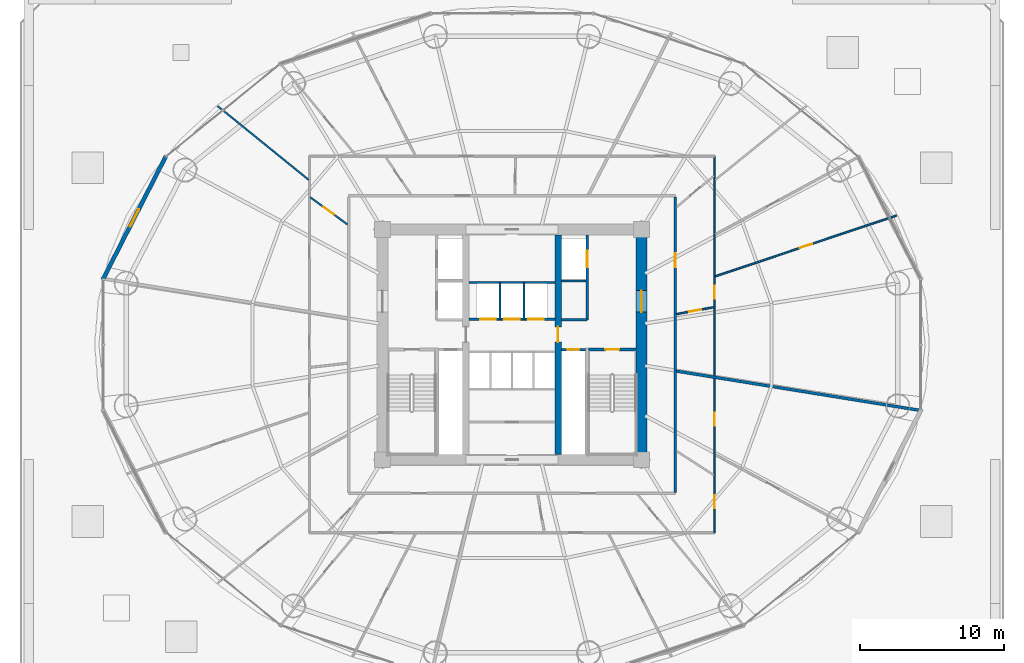
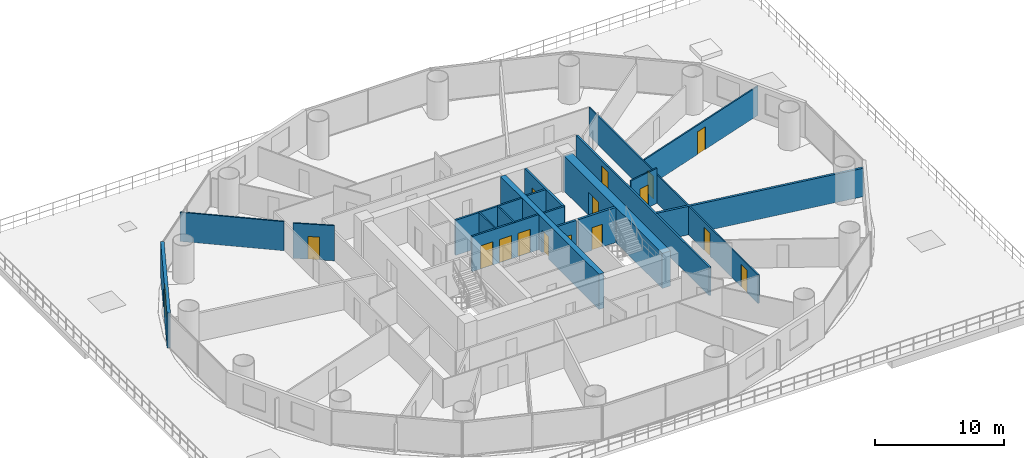
# One storey, part 32 of 37: 20 walls, 16 doors, 16 openings.
"""IFC4 building model written with IfcOpenShell, lengths in metres."""

from ifc_helpers import new_model, si_unit, direction, frame, frame_2d, origin, place, context, subcontext, project, spatial, rectangle, extrude, source, transform, mapped, material, layer, layer_set, type_object, element, fill, save


model = new_model("IFC4")

# Units and contexts
model_context = context("Model", 3, precision=1e-05, world=origin(), true_north=direction((-0.2419218956, 0.970295726276)))
body_context = subcontext(model_context, "Body", "Model", "MODEL_VIEW")
ifc_project = project(units=[si_unit("LENGTHUNIT", "METRE"), si_unit("AREAUNIT", "SQUARE_METRE"), si_unit("VOLUMEUNIT", "CUBIC_METRE"), si_unit("PLANEANGLEUNIT", "RADIAN"), si_unit("MASSUNIT", "GRAM", prefix="KILO")], contexts=[model_context])

# Site, building, storey
site_placement = place(None, origin())
site = spatial("IfcSite", under=ifc_project, at=site_placement, CompositionType="ELEMENT")
building_placement = place(site_placement, origin())
building = spatial("IfcBuilding", under=site, at=building_placement, Name="Cobrevalo Terracotta Tower", CompositionType="ELEMENT")
storey_placement = place(building_placement, frame((0.0, 0.0, 24.0)))
storey = spatial("IfcBuildingStorey", under=building, at=storey_placement, Name="L05", CompositionType="ELEMENT", Elevation=24.0)

# Wall, opening, door
ifc_material_1 = material(Name="Concrete C60", Category="concrete")
ifc_layer_1 = layer(ifc_material_1, 0.75)
ifc_layer_set_1 = layer_set([ifc_layer_1], Name="Concrete C60")
wall_type_1 = type_object("IfcWallType", Name="Core shear wall 750 mm Concrete C60", PredefinedType="SHEAR", material=ifc_layer_set_1)
wall_1_placement = place(storey_placement, frame((47.0, 19.175048828125, 0.0), z_axis=(0.0, 0.0, 1.0), x_axis=(0.0, 1.0, 0.0)))
wall_1 = element("IfcWall", 1, at=wall_1_placement, inside=storey, type_object=wall_type_1, Name="L05 east core shear wall", PredefinedType="SHEAR", context=body_context, shape_type="SweptSolid", body=[
    extrude(rectangle(XDim=15.25, YDim=0.75, at=frame_2d((7.625, 0.0))), origin(), (0.0, 0.0, 1.0), 3.320068359375),
])
opening_1_placement = place(wall_1_placement, frame((9.875, 0.0, 0.0)))
opening_1 = element("IfcOpeningElement", 2, at=opening_1_placement, cuts=wall_1, Name="Opening ID-14", PredefinedType="OPENING", context=body_context, shape_type="SweptSolid", body=[
    extrude(rectangle(XDim=1.5, YDim=2.199951171875, at=frame_2d((0.75, 1.10009765625))), frame((0.0, 0.385009765625, 0.0), z_axis=(0.0, -1.0, 0.0), x_axis=(1.0, 0.0, 0.0)), (0.0, 0.0, 1.0), 0.77001953125),
])
ifc_material_2 = material(Name="Galvanized fire-rated steel", Category="steel")
door_type_1 = type_object("IfcDoorType", Name="Core cross-lobby double fire door 1500x2200 EI 90", OperationType="NOTDEFINED", PredefinedType="DOOR", material=ifc_material_2)
shared_shape_1 = source(origin(), body_context, "Body", "SweptSolid", [
    extrude(rectangle(XDim=1.5, YDim=2.199951171875, at=frame_2d((0.75, 1.10009765625))), frame((0.0, 0.02490234375, 0.0), z_axis=(0.0, -1.0, 0.0), x_axis=(1.0, 0.0, 0.0)), (0.0, 0.0, 1.0), 0.050048828125),
])
door_1_placement = place(opening_1_placement, frame((1.5, 0.0, 0.0), z_axis=(0.0, 0.0, 1.0), x_axis=(-1.0, 0.0, 0.0)))
door_1 = element("IfcDoor", 3, at=door_1_placement, inside=storey, type_object=door_type_1, Name="L05 east firefighting lobby entrance door", OperationType="DOUBLE_DOOR_SINGLE_SWING", OverallHeight=2.199951171875, OverallWidth=1.5, PredefinedType="DOOR", context=body_context, shape_type="MappedRepresentation", body=[
    mapped(shared_shape_1, transform((0.0, 0.0, 0.0), scale=1.0)),
])
fill(opening_1, door_1)

# Walls
ifc_material_3 = material(Name="Gypsum board on steel stud", Category="steel")
ifc_layer_2 = layer(ifc_material_3, 0.159912109375)
ifc_layer_set_2 = layer_set([ifc_layer_2], Name="Gypsum board on steel stud")
wall_type_2 = type_object("IfcWallType", Name="Fire-rated corridor acoustic partition wall 160 mm", PredefinedType="PARTITIONING", material=ifc_layer_set_2)
wall_2_placement = place(storey_placement, frame((41.425048828125, 31.219970703125, 0.0), z_axis=(0.0, 0.0, 1.0), x_axis=(1.0, 0.0, 0.0)))
element("IfcWall", 4, at=wall_2_placement, inside=storey, type_object=wall_type_2, Name="L05 interior partition IW-L05-FF2-M", PredefinedType="PARTITIONING", context=body_context, shape_type="SweptSolid", body=[
    extrude(rectangle(XDim=1.71484375, YDim=0.159912109375, at=frame_2d((0.857421875, 0.0))), origin(), (0.0, 0.0, 1.0), 3.320068359375),
])
wall_3_placement = place(storey_placement, frame((41.425048828125, 28.52001953125, 0.0), z_axis=(0.0, 0.0, 1.0), x_axis=(1.0, 0.0, 0.0)))
element("IfcWall", 5, at=wall_3_placement, inside=storey, type_object=wall_type_2, Name="L05 interior partition IW-L05-FF2-S", PredefinedType="PARTITIONING", context=body_context, shape_type="SweptSolid", body=[
    extrude(rectangle(XDim=1.804931640625, YDim=0.159912109375, at=frame_2d((0.90234375, 0.0))), origin(), (0.0, 0.0, 1.0), 3.320068359375),
])

# Wall, openings, doors
wall_4_placement = place(storey_placement, frame((35.02490234375, 28.56005859375, 0.0), z_axis=(0.0, 0.0, 1.0), x_axis=(1.0, 0.0, 0.0)))
wall_4 = element("IfcWall", 6, at=wall_4_placement, inside=storey, type_object=wall_type_2, Name="L05 interior partition IW-L05-LB-S", PredefinedType="PARTITIONING", context=body_context, shape_type="SweptSolid", body=[
    extrude(rectangle(XDim=5.9501953125, YDim=0.159912109375, at=frame_2d((2.97509765625, 0.0))), origin(), (0.0, 0.0, 1.0), 3.320068359375),
])
opening_2_placement = place(wall_4_placement, frame((0.760009765625, 0.0, 0.0)))
opening_2 = element("IfcOpeningElement", 7, at=opening_2_placement, cuts=wall_4, Name="Opening LD-01", PredefinedType="OPENING", context=body_context, shape_type="SweptSolid", body=[
    extrude(rectangle(XDim=1.10009765625, YDim=2.199951171875, at=frame_2d((0.550048828125, 1.10009765625))), frame((0.0, 0.08984375, 0.0), z_axis=(0.0, -1.0, 0.0), x_axis=(1.0, 0.0, 0.0)), (0.0, 0.0, 1.0), 0.179931640625),
])
opening_3_placement = place(wall_4_placement, frame((2.425048828125, 0.0, 0.0)))
opening_3 = element("IfcOpeningElement", 8, at=opening_3_placement, cuts=wall_4, Name="Opening LD-01", PredefinedType="OPENING", context=body_context, shape_type="SweptSolid", body=[
    extrude(rectangle(XDim=1.10009765625, YDim=2.199951171875, at=frame_2d((0.550048828125, 1.10009765625))), frame((0.0, 0.08984375, 0.0), z_axis=(0.0, -1.0, 0.0), x_axis=(1.0, 0.0, 0.0)), (0.0, 0.0, 1.0), 0.179931640625),
])
opening_4_placement = place(wall_4_placement, frame((4.090087890625, 0.0, 0.0)))
opening_4 = element("IfcOpeningElement", 9, at=opening_4_placement, cuts=wall_4, Name="Opening LD-01", PredefinedType="OPENING", context=body_context, shape_type="SweptSolid", body=[
    extrude(rectangle(XDim=1.10009765625, YDim=2.199951171875, at=frame_2d((0.550048828125, 1.10009765625))), frame((0.0, 0.08984375, 0.0), z_axis=(0.0, -1.0, 0.0), x_axis=(1.0, 0.0, 0.0)), (0.0, 0.0, 1.0), 0.179931640625),
])
ifc_material_4 = material(Name="Brushed stainless steel", Category="steel")
door_type_2 = type_object("IfcDoorType", Name="Passenger lift landing bi-parting sliding door 1100x2200 EI 90", OperationType="DOUBLE_DOOR_SLIDING", PredefinedType="DOOR", material=ifc_material_4)
shared_shape_2 = source(origin(), body_context, "Body", "SweptSolid", [
    extrude(rectangle(XDim=1.10009765625, YDim=2.199951171875, at=frame_2d((0.550048828125, 1.10009765625))), frame((0.0, 0.02490234375, 0.0), z_axis=(0.0, -1.0, 0.0), x_axis=(1.0, 0.0, 0.0)), (0.0, 0.0, 1.0), 0.050048828125),
])
door_2_placement = place(opening_2_placement, origin())
door_2 = element("IfcDoor", 10, at=door_2_placement, inside=storey, type_object=door_type_2, Name="L05 lift landing door PL-L1", OperationType="DOUBLE_DOOR_SLIDING", OverallHeight=2.199951171875, OverallWidth=1.10009765625, PredefinedType="DOOR", context=body_context, shape_type="MappedRepresentation", body=[
    mapped(shared_shape_2, transform((0.0, 0.0, 0.0), scale=1.0)),
])
fill(opening_2, door_2)
door_3_placement = place(opening_3_placement, origin())
door_3 = element("IfcDoor", 11, at=door_3_placement, inside=storey, type_object=door_type_2, Name="L05 lift landing door PL-L2", OperationType="DOUBLE_DOOR_SLIDING", OverallHeight=2.199951171875, OverallWidth=1.10009765625, PredefinedType="DOOR", context=body_context, shape_type="MappedRepresentation", body=[
    mapped(shared_shape_2, transform((0.0, 0.0, 0.0), scale=1.0)),
])
fill(opening_3, door_3)
door_4_placement = place(opening_4_placement, origin())
door_4 = element("IfcDoor", 12, at=door_4_placement, inside=storey, type_object=door_type_2, Name="L05 lift landing door PL-L3", OperationType="DOUBLE_DOOR_SLIDING", OverallHeight=2.199951171875, OverallWidth=1.10009765625, PredefinedType="DOOR", context=body_context, shape_type="MappedRepresentation", body=[
    mapped(shared_shape_2, transform((0.0, 0.0, 0.0), scale=1.0)),
])
fill(opening_4, door_4)

# Wall
wall_5_placement = place(storey_placement, frame((35.02490234375, 31.1201171875, 0.0), z_axis=(0.0, 0.0, 1.0), x_axis=(1.0, 0.0, 0.0)))
element("IfcWall", 13, at=wall_5_placement, inside=storey, type_object=wall_type_2, Name="L05 interior partition IW-L05-LB-N", PredefinedType="PARTITIONING", context=body_context, shape_type="SweptSolid", body=[
    extrude(rectangle(XDim=5.9501953125, YDim=0.159912109375, at=frame_2d((2.97509765625, 0.0))), origin(), (0.0, 0.0, 1.0), 3.320068359375),
])

# Wall, opening, door
wall_6_placement = place(storey_placement, frame((49.35498046875, 16.52490234375, 0.0), z_axis=(0.0, 0.0, 1.0), x_axis=(0.0, 1.0, 0.0)))
wall_6 = element("IfcWall", 14, at=wall_6_placement, inside=storey, type_object=wall_type_2, Name="L05 interior partition IW-L05-COR-E", PredefinedType="PARTITIONING", context=body_context, shape_type="SweptSolid", body=[
    extrude(rectangle(XDim=20.550048828125, YDim=0.159912109375, at=frame_2d((10.27490234375, 0.0))), origin(), (0.0, 0.0, 1.0), 2.68798828125),
])
opening_5_placement = place(wall_6_placement, frame((15.635009765625, 0.0, 0.0)))
opening_5 = element("IfcOpeningElement", 15, at=opening_5_placement, cuts=wall_6, Name="Opening ID-05", PredefinedType="OPENING", context=body_context, shape_type="SweptSolid", body=[
    extrude(rectangle(XDim=0.97998046875, YDim=2.199951171875, at=frame_2d((0.489990234375, 1.10009765625))), frame((0.0, 0.08984375, 0.0), z_axis=(0.0, -1.0, 0.0), x_axis=(1.0, 0.0, 0.0)), (0.0, 0.0, 1.0), 0.179931640625),
])
ifc_material_5 = material(Name="Solid hardwood timber", Category="wood")
door_type_3 = type_object("IfcDoorType", Name="Residence entrance fire-rated acoustic timber door 980x2200 EI 60", OperationType="NOTDEFINED", PredefinedType="DOOR", material=ifc_material_5)
shared_shape_3 = source(origin(), body_context, "Body", "SweptSolid", [
    extrude(rectangle(XDim=0.97998046875, YDim=2.199951171875, at=frame_2d((0.489990234375, 1.10009765625))), frame((0.0, 0.02490234375, 0.0), z_axis=(0.0, -1.0, 0.0), x_axis=(1.0, 0.0, 0.0)), (0.0, 0.0, 1.0), 0.050048828125),
])
door_5_placement = place(opening_5_placement, frame((0.97998046875, 0.0, 0.0), z_axis=(0.0, 0.0, 1.0), x_axis=(-1.0, 0.0, 0.0)))
door_5 = element("IfcDoor", 16, at=door_5_placement, inside=storey, type_object=door_type_3, Name="Flat L05A fire-rated apartment entrance door", OperationType="SINGLE_SWING_LEFT", OverallHeight=2.199951171875, OverallWidth=0.97998046875, PredefinedType="DOOR", context=body_context, shape_type="MappedRepresentation", body=[
    mapped(shared_shape_3, transform((0.0, 0.0, 0.0), scale=1.0)),
])
fill(opening_5, door_5)

ifc_layer_3 = layer(ifc_material_3, 0.179931640625)
ifc_layer_set_3 = layer_set([ifc_layer_3], Name="Gypsum board on steel stud")
wall_type_3 = type_object("IfcWallType", Name="Fire-rated shaft & lobby acoustic partition wall 180 mm", PredefinedType="PARTITIONING", material=ifc_layer_set_3)
wall_7_placement = place(storey_placement, frame((41.425048828125, 26.449951171875, 0.0), z_axis=(0.0, 0.0, 1.0), x_axis=(1.0, 0.0, 0.0)))
wall_7 = element("IfcWall", 17, at=wall_7_placement, inside=storey, type_object=wall_type_3, Name="L05 interior partition IW-L05-RSE-N", PredefinedType="PARTITIONING", context=body_context, shape_type="SweptSolid", body=[
    extrude(rectangle(XDim=1.675048828125, YDim=0.179931640625, at=frame_2d((0.83740234375, 0.0))), origin(), (0.0, 0.0, 1.0), 3.320068359375),
])
opening_6_placement = place(wall_7_placement, frame((0.41259765625, 0.0, 0.0)))
opening_6 = element("IfcOpeningElement", 18, at=opening_6_placement, cuts=wall_7, Name="Opening ID-22", PredefinedType="OPENING", context=body_context, shape_type="SweptSolid", body=[
    extrude(rectangle(XDim=0.85009765625, YDim=2.10009765625, at=frame_2d((0.425048828125, 1.050048828125))), frame((0.0, 0.10009765625, 0.0), z_axis=(0.0, -1.0, 0.0), x_axis=(1.0, 0.0, 0.0)), (0.0, 0.0, 1.0), 0.199951171875),
])
ifc_material_6 = material(Name="Powder-coated steel", Category="steel")
door_type_4 = type_object("IfcDoorType", Name="Riser shaft & meter closet fire access door 850x2100 EI 60", OperationType="NOTDEFINED", PredefinedType="DOOR", material=ifc_material_6)
shared_shape_4 = source(origin(), body_context, "Body", "SweptSolid", [
    extrude(rectangle(XDim=0.85009765625, YDim=2.10009765625, at=frame_2d((0.425048828125, 1.050048828125))), frame((0.0, 0.02490234375, 0.0), z_axis=(0.0, -1.0, 0.0), x_axis=(1.0, 0.0, 0.0)), (0.0, 0.0, 1.0), 0.050048828125),
])
door_6_placement = place(opening_6_placement, origin())
door_6 = element("IfcDoor", 19, at=door_6_placement, inside=storey, type_object=door_type_4, Name="L05 riser access door RSE", OperationType="SINGLE_SWING_RIGHT", OverallHeight=2.10009765625, OverallWidth=0.85009765625, PredefinedType="DOOR", context=body_context, shape_type="MappedRepresentation", body=[
    mapped(shared_shape_4, transform((0.0, 0.0, 0.0), scale=1.0)),
])
fill(opening_6, door_6)

wall_8_placement = place(storey_placement, frame((43.22998046875, 28.52001953125, 0.0), z_axis=(0.0, 0.0, 1.0), x_axis=(0.0, 1.0, 0.0)))
wall_8 = element("IfcWall", 20, at=wall_8_placement, inside=storey, type_object=wall_type_3, Name="L05 interior partition IW-L05-FF2-E", PredefinedType="PARTITIONING", context=body_context, shape_type="SweptSolid", body=[
    extrude(rectangle(XDim=5.905029296875, YDim=0.179931640625, at=frame_2d((2.95263671875, 0.0))), origin(), (0.0, 0.0, 1.0), 3.320068359375),
])
opening_7_placement = place(wall_8_placement, frame((3.655029296875, 0.0, 0.0)))
opening_7 = element("IfcOpeningElement", 21, at=opening_7_placement, cuts=wall_8, Name="Opening LD-02", PredefinedType="OPENING", context=body_context, shape_type="SweptSolid", body=[
    extrude(rectangle(XDim=1.14990234375, YDim=2.199951171875, at=frame_2d((0.574951171875, 1.10009765625))), frame((0.0, 0.10009765625, 0.0), z_axis=(0.0, -1.0, 0.0), x_axis=(1.0, 0.0, 0.0)), (0.0, 0.0, 1.0), 0.199951171875),
])
door_type_5 = type_object("IfcDoorType", Name="Firefighting lift landing bi-parting sliding door 1150x2200 EI 120", OperationType="DOUBLE_DOOR_SLIDING", PredefinedType="DOOR", material=ifc_material_4)
shared_shape_5 = source(origin(), body_context, "Body", "SweptSolid", [
    extrude(rectangle(XDim=1.14990234375, YDim=2.199951171875, at=frame_2d((0.574951171875, 1.10009765625))), frame((0.0, 0.02490234375, 0.0), z_axis=(0.0, -1.0, 0.0), x_axis=(1.0, 0.0, 0.0)), (0.0, 0.0, 1.0), 0.050048828125),
])
door_7_placement = place(opening_7_placement, origin())
door_7 = element("IfcDoor", 22, at=door_7_placement, inside=storey, type_object=door_type_5, Name="L05 lift landing door FF-2", OperationType="DOUBLE_DOOR_SLIDING", OverallHeight=2.199951171875, OverallWidth=1.14990234375, PredefinedType="DOOR", context=body_context, shape_type="MappedRepresentation", body=[
    mapped(shared_shape_5, transform((0.0, 0.0, 0.0), scale=1.0)),
])
fill(opening_7, door_7)

# Walls
ifc_material_7 = material(Name="Autoclaved aerated concrete block", Category="concrete")
ifc_layer_4 = layer(ifc_material_7, 0.199951171875)
ifc_layer_set_4 = layer_set([ifc_layer_4], Name="Autoclaved aerated concrete block")
wall_type_4 = type_object("IfcWallType", Name="Fire-rated stair, shaft & demising masonry wall 200 mm", PredefinedType="PARTITIONING", material=ifc_layer_set_4)
wall_9_placement = place(storey_placement, frame((49.43505859375, 24.956787109375, 0.0), z_axis=(0.0, 0.0, 1.0), x_axis=(0.987258195973, -0.159126536076, 0.0)))
element("IfcWall", 23, at=wall_9_placement, inside=storey, type_object=wall_type_4, Name="L05 interior partition IW-L05-DEM-1", PredefinedType="PARTITIONING", context=body_context, shape_type="SweptSolid", body=[
    extrude(rectangle(XDim=17.10546875, YDim=0.199951171875, at=frame_2d((8.552734375, 0.0))), origin(), (0.0, 0.0, 1.0), 2.68798828125),
])
ifc_layer_5 = layer(ifc_material_7, 0.1201171875)
ifc_layer_set_5 = layer_set([ifc_layer_5], Name="Autoclaved aerated concrete block")
wall_type_5 = type_object("IfcWallType", Name="Fire-rated wet-room & core service partition 120 mm", PredefinedType="PARTITIONING", material=ifc_layer_set_5)
for number, where, z_axis, x_axis, name in (
    (24, (37.169921875, 28.56005859375, 0.0), (0.0, 0.0, 1.0), (0.0, 1.0, 0.0), "L05 interior partition IW-L05-LB-D1"),
    (25, (38.830078125, 28.56005859375, 0.0), (0.0, 0.0, 1.0), (0.0, 1.0, 0.0), "L05 interior partition IW-L05-LB-D2"),
):
    element("IfcWall", number, at=place(storey_placement, frame(where, z_axis=z_axis, x_axis=x_axis)), inside=storey, type_object=wall_type_5, Name=name, PredefinedType="PARTITIONING", context=body_context, shape_type="SweptSolid", body=[
        extrude(rectangle(XDim=2.56005859375, YDim=0.1201171875, at=frame_2d((1.280029296875, 0.0))), origin(), (0.0, 0.0, 1.0), 3.320068359375),
    ])

# Wall, opening, door
ifc_layer_6 = layer(ifc_material_7, 0.280029296875)
ifc_layer_set_6 = layer_set([ifc_layer_6], Name="Autoclaved aerated concrete block")
wall_type_6 = type_object("IfcWallType", Name="Insulated tower spandrel & pier wall 280 mm with terracotta rainscreen", PredefinedType="SOLIDWALL", material=ifc_layer_set_6)
wall_10_placement = place(storey_placement, frame((13.94873046875, 39.910400390625, 0.0), z_axis=(0.0, 0.0, 1.0), x_axis=(-0.45523081716, -0.890373462715, 0.0)))
wall_10 = element("IfcWall", 26, at=wall_10_placement, inside=storey, type_object=wall_type_6, Name="L05 podium roof garden access wall S07", PredefinedType="SOLIDWALL", context=body_context, shape_type="SweptSolid", body=[
    extrude(rectangle(XDim=9.662109375, YDim=0.280029296875, at=frame_2d((4.8310546875, 0.0))), origin(), (0.0, 0.0, 1.0), 3.320068359375),
])
opening_8_placement = place(wall_10_placement, frame((4.156005859375, 0.0, 0.0)))
opening_8 = element("IfcOpeningElement", 27, at=opening_8_placement, cuts=wall_10, Name="Opening ED-05", PredefinedType="OPENING", context=body_context, shape_type="SweptSolid", body=[
    extrude(rectangle(XDim=1.35009765625, YDim=2.199951171875, at=frame_2d((0.675048828125, 1.10009765625))), frame((0.0, 0.14990234375, 0.0), z_axis=(0.0, -1.0, 0.0), x_axis=(1.0, 0.0, 0.0)), (0.0, 0.0, 1.0), 0.300048828125),
])
ifc_material_8 = material(Name="Anodized aluminium and laminated glass", Category="aluminium")
door_type_6 = type_object("IfcDoorType", Name="Suite balcony acoustic glazed terrace door 1350x2200", OperationType="NOTDEFINED", PredefinedType="DOOR", material=ifc_material_8)
shared_shape_6 = source(origin(), body_context, "Body", "SweptSolid", [
    extrude(rectangle(XDim=1.35009765625, YDim=2.199951171875, at=frame_2d((0.675048828125, 1.10009765625))), frame((0.0, 0.02490234375, 0.0), z_axis=(0.0, -1.0, 0.0), x_axis=(1.0, 0.0, 0.0)), (0.0, 0.0, 1.0), 0.050048828125),
])
door_8_placement = place(opening_8_placement, frame((1.35009765625, 0.0, 0.0), z_axis=(0.0, 0.0, 1.0), x_axis=(-1.0, 0.0, 0.0)))
door_8 = element("IfcDoor", 28, at=door_8_placement, inside=storey, type_object=door_type_6, Name="L05 podium roof garden terrace door S07", OperationType="SINGLE_SWING_LEFT", OverallHeight=2.199951171875, OverallWidth=1.35009765625, PredefinedType="DOOR", context=body_context, shape_type="MappedRepresentation", body=[
    mapped(shared_shape_6, transform((0.0, 0.0, 0.0), scale=1.0)),
])
fill(opening_8, door_8)

ifc_material_9 = material(Name="Concrete C55", Category="concrete")
ifc_layer_7 = layer(ifc_material_9, 0.449951171875)
ifc_layer_set_7 = layer_set([ifc_layer_7], Name="Concrete C55")
wall_type_7 = type_object("IfcWallType", Name="Internal core shear web wall 450 mm Concrete C55", PredefinedType="SHEAR", material=ifc_layer_set_7)
wall_11_placement = place(storey_placement, frame((41.199951171875, 19.175048828125, 0.0), z_axis=(0.0, 0.0, 1.0), x_axis=(0.0, 1.0, 0.0)))
wall_11 = element("IfcWall", 29, at=wall_11_placement, inside=storey, type_object=wall_type_7, Name="L05 internal core shear wall WEB-E", PredefinedType="SHEAR", context=body_context, shape_type="SweptSolid", body=[
    extrude(rectangle(XDim=15.25, YDim=0.449951171875, at=frame_2d((7.625, 0.0))), origin(), (0.0, 0.0, 1.0), 3.320068359375),
])
opening_9_placement = place(wall_11_placement, frame((7.800048828125, 0.0, 0.0)))
opening_9 = element("IfcOpeningElement", 30, at=opening_9_placement, cuts=wall_11, Name="Opening ID-11", PredefinedType="OPENING", context=body_context, shape_type="SweptSolid", body=[
    extrude(rectangle(XDim=1.050048828125, YDim=2.14990234375, at=frame_2d((0.52490234375, 1.074951171875))), frame((0.0, 0.23486328125, 0.0), z_axis=(0.0, -1.0, 0.0), x_axis=(1.0, 0.0, 0.0)), (0.0, 0.0, 1.0), 0.469970703125),
])
door_type_7 = type_object("IfcDoorType", Name="Core concourse cross fire door 1050x2150 EI 90", OperationType="NOTDEFINED", PredefinedType="DOOR", material=ifc_material_2)
shared_shape_7 = source(origin(), body_context, "Body", "SweptSolid", [
    extrude(rectangle(XDim=1.050048828125, YDim=2.14990234375, at=frame_2d((0.52490234375, 1.074951171875))), frame((0.0, 0.02490234375, 0.0), z_axis=(0.0, -1.0, 0.0), x_axis=(1.0, 0.0, 0.0)), (0.0, 0.0, 1.0), 0.050048828125),
])
door_9_placement = place(opening_9_placement, frame((1.050048828125, 0.0, 0.0), z_axis=(0.0, 0.0, 1.0), x_axis=(-1.0, 0.0, 0.0)))
door_9 = element("IfcDoor", 31, at=door_9_placement, inside=storey, type_object=door_type_7, Name="L05 east core concourse cross door", OperationType="SINGLE_SWING_RIGHT", OverallHeight=2.14990234375, OverallWidth=1.050048828125, PredefinedType="DOOR", context=body_context, shape_type="MappedRepresentation", body=[
    mapped(shared_shape_7, transform((0.0, 0.0, 0.0), scale=1.0)),
])
fill(opening_9, door_9)

ifc_layer_8 = layer(ifc_material_3, 0.1201171875)
ifc_layer_set_8 = layer_set([ifc_layer_8], Name="Gypsum board on steel stud")
wall_type_8 = type_object("IfcWallType", Name="Residential internal acoustic stud partition 120 mm", PredefinedType="PARTITIONING", material=ifc_layer_set_8)
wall_12_placement = place(storey_placement, frame((52.0849609375, 39.885009765625, 0.0), z_axis=(0.0, 0.0, 1.0), x_axis=(0.0, -1.0, 0.0)))
wall_12 = element("IfcWall", 32, at=wall_12_placement, inside=storey, type_object=wall_type_8, Name="L05 interior partition IW-L05-U1-RING1_0", PredefinedType="PARTITIONING", context=body_context, shape_type="SweptSolid", body=[
    extrude(rectangle(XDim=15.25341796875, YDim=0.1201171875, at=frame_2d((7.626708984375, 0.0))), origin(), (0.0, 0.0, 1.0), 2.68798828125),
])
opening_10_placement = place(wall_12_placement, frame((9.002197265625, 0.0, 0.0)))
opening_10 = element("IfcOpeningElement", 33, at=opening_10_placement, cuts=wall_12, Name="Opening ID-12", PredefinedType="OPENING", context=body_context, shape_type="SweptSolid", body=[
    extrude(rectangle(XDim=0.89990234375, YDim=2.14990234375, at=frame_2d((0.449951171875, 1.074951171875))), frame((0.0, 0.070068359375, 0.0), z_axis=(0.0, -1.0, 0.0), x_axis=(1.0, 0.0, 0.0)), (0.0, 0.0, 1.0), 0.14013671875),
])
ifc_material_10 = material(Name="Engineered timber", Category="wood")
door_type_8 = type_object("IfcDoorType", Name="Internal residence & suite timber door 900x2150", OperationType="NOTDEFINED", PredefinedType="DOOR", material=ifc_material_10)
shared_shape_8 = source(origin(), body_context, "Body", "SweptSolid", [
    extrude(rectangle(XDim=0.89990234375, YDim=2.14990234375, at=frame_2d((0.449951171875, 1.074951171875))), frame((0.0, 0.02490234375, 0.0), z_axis=(0.0, -1.0, 0.0), x_axis=(1.0, 0.0, 0.0)), (0.0, 0.0, 1.0), 0.050048828125),
])
door_10_placement = place(opening_10_placement, origin())
door_10 = element("IfcDoor", 34, at=door_10_placement, inside=storey, type_object=door_type_8, Name="Flat L05A Penthouse Living and Dining Room internal door", OperationType="SINGLE_SWING_LEFT", OverallHeight=2.14990234375, OverallWidth=0.89990234375, PredefinedType="DOOR", context=body_context, shape_type="MappedRepresentation", body=[
    mapped(shared_shape_8, transform((0.0, 0.0, 0.0), scale=1.0)),
])
fill(opening_10, door_10)

wall_13_placement = place(storey_placement, frame((52.143798828125, 31.54736328125, 0.0), z_axis=(0.0, 0.0, 1.0), x_axis=(0.948017487737, 0.318218231634, 0.0)))
wall_13 = element("IfcWall", 35, at=wall_13_placement, inside=storey, type_object=wall_type_8, Name="L05 interior partition IW-L05-U1-ORAD1", PredefinedType="PARTITIONING", context=body_context, shape_type="SweptSolid", body=[
    extrude(rectangle(XDim=13.27880859375, YDim=0.1201171875, at=frame_2d((6.639404296875, 0.0))), origin(), (0.0, 0.0, 1.0), 2.761962890625),
])
opening_11_placement = place(wall_13_placement, frame((6.189453125, 0.0, 0.0)))
opening_11 = element("IfcOpeningElement", 36, at=opening_11_placement, cuts=wall_13, Name="Opening ID-12", PredefinedType="OPENING", context=body_context, shape_type="SweptSolid", body=[
    extrude(rectangle(XDim=0.89990234375, YDim=2.14990234375, at=frame_2d((0.449951171875, 1.074951171875))), frame((0.0, 0.070068359375, 0.0), z_axis=(0.0, -1.0, 0.0), x_axis=(1.0, 0.0, 0.0)), (0.0, 0.0, 1.0), 0.14013671875),
])
door_11_placement = place(opening_11_placement, origin())
door_11 = element("IfcDoor", 37, at=door_11_placement, inside=storey, type_object=door_type_8, Name="Flat L05A Master Bedroom internal door", OperationType="SINGLE_SWING_RIGHT", OverallHeight=2.14990234375, OverallWidth=0.89990234375, PredefinedType="DOOR", context=body_context, shape_type="MappedRepresentation", body=[
    mapped(shared_shape_8, transform((0.0, 0.0, 0.0), scale=1.0)),
])
fill(opening_11, door_11)

wall_14_placement = place(storey_placement, frame((49.43505859375, 28.91796875, 0.0), z_axis=(0.0, 0.0, 1.0), x_axis=(0.983277085422, 0.182115823818, 0.0)))
wall_14 = element("IfcWall", 38, at=wall_14_placement, inside=storey, type_object=wall_type_8, Name="L05 interior partition IW-L05-U1-IRAD1", PredefinedType="PARTITIONING", context=body_context, shape_type="SweptSolid", body=[
    extrude(rectangle(XDim=2.6328125, YDim=0.1201171875, at=frame_2d((1.31640625, 0.0))), origin(), (0.0, 0.0, 1.0), 3.320068359375),
])
opening_12_placement = place(wall_14_placement, frame((0.886474609375, 0.0, 0.0)))
opening_12 = element("IfcOpeningElement", 39, at=opening_12_placement, cuts=wall_14, Name="Opening ID-19", PredefinedType="OPENING", context=body_context, shape_type="SweptSolid", body=[
    extrude(rectangle(XDim=0.860107421875, YDim=2.14990234375, at=frame_2d((0.43017578125, 1.074951171875))), frame((0.0, 0.070068359375, 0.0), z_axis=(0.0, -1.0, 0.0), x_axis=(1.0, 0.0, 0.0)), (0.0, 0.0, 1.0), 0.14013671875),
])
ifc_material_11 = material(Name="Moisture-sealed timber", Category="wood")
door_type_9 = type_object("IfcDoorType", Name="Suite bathroom internal timber door 860x2150", OperationType="NOTDEFINED", PredefinedType="DOOR", material=ifc_material_11)
shared_shape_9 = source(origin(), body_context, "Body", "SweptSolid", [
    extrude(rectangle(XDim=0.860107421875, YDim=2.14990234375, at=frame_2d((0.43017578125, 1.074951171875))), frame((0.0, 0.02490234375, 0.0), z_axis=(0.0, -1.0, 0.0), x_axis=(1.0, 0.0, 0.0)), (0.0, 0.0, 1.0), 0.050048828125),
])
door_12_placement = place(opening_12_placement, frame((0.860107421875, 0.0, 0.0), z_axis=(0.0, 0.0, 1.0), x_axis=(-1.0, 0.0, 0.0)))
door_12 = element("IfcDoor", 40, at=door_12_placement, inside=storey, type_object=door_type_9, Name="Flat L05A Primary Bathroom internal door", OperationType="SINGLE_SWING_RIGHT", OverallHeight=2.14990234375, OverallWidth=0.860107421875, PredefinedType="DOOR", context=body_context, shape_type="MappedRepresentation", body=[
    mapped(shared_shape_9, transform((0.0, 0.0, 0.0), scale=1.0)),
])
fill(opening_12, door_12)

# Wall
wall_15_placement = place(storey_placement, frame((23.866943359375, 38.252685546875, 0.0), z_axis=(0.0, 0.0, 1.0), x_axis=(-0.776936623447, 0.629578814087, 0.0)))
element("IfcWall", 41, at=wall_15_placement, inside=storey, type_object=wall_type_8, Name="L05 interior partition IW-L05-U2-ORAD2", PredefinedType="PARTITIONING", context=body_context, shape_type="SweptSolid", body=[
    extrude(rectangle(XDim=8.136474609375, YDim=0.1201171875, at=frame_2d((4.068359375, 0.0))), origin(), (0.0, 0.0, 1.0), 2.761962890625),
])

# Wall, opening, door
wall_16_placement = place(storey_placement, frame((26.56494140625, 35.14990234375, 0.0), z_axis=(0.0, 0.0, 1.0), x_axis=(-0.807606444557, 0.589721824855, 0.0)))
wall_16 = element("IfcWall", 42, at=wall_16_placement, inside=storey, type_object=wall_type_8, Name="L05 interior partition IW-L05-U2-IRAD3", PredefinedType="PARTITIONING", context=body_context, shape_type="SweptSolid", body=[
    extrude(rectangle(XDim=3.21923828125, YDim=0.1201171875, at=frame_2d((1.609619140625, 0.0))), origin(), (0.0, 0.0, 1.0), 3.320068359375),
])
opening_13_placement = place(wall_16_placement, frame((1.15966796875, 0.0, 0.0)))
opening_13 = element("IfcOpeningElement", 43, at=opening_13_placement, cuts=wall_16, Name="Opening ID-12", PredefinedType="OPENING", context=body_context, shape_type="SweptSolid", body=[
    extrude(rectangle(XDim=0.89990234375, YDim=2.14990234375, at=frame_2d((0.449951171875, 1.074951171875))), frame((0.0, 0.070068359375, 0.0), z_axis=(0.0, -1.0, 0.0), x_axis=(1.0, 0.0, 0.0)), (0.0, 0.0, 1.0), 0.14013671875),
])
door_13_placement = place(opening_13_placement, origin())
door_13 = element("IfcDoor", 44, at=door_13_placement, inside=storey, type_object=door_type_8, Name="Flat L05B Home Office Study internal door", OperationType="SINGLE_SWING_RIGHT", OverallHeight=2.14990234375, OverallWidth=0.89990234375, PredefinedType="DOOR", context=body_context, shape_type="MappedRepresentation", body=[
    mapped(shared_shape_8, transform((0.0, 0.0, 0.0), scale=1.0)),
])
fill(opening_13, door_13)

# Wall, openings, doors
wall_17_placement = place(storey_placement, frame((52.0849609375, 24.427734375, 0.0), z_axis=(0.0, 0.0, 1.0), x_axis=(0.0, -1.0, 0.0)))
wall_17 = element("IfcWall", 45, at=wall_17_placement, inside=storey, type_object=wall_type_8, Name="L05 interior partition IW-L05-U4-RING0_0", PredefinedType="PARTITIONING", context=body_context, shape_type="SweptSolid", body=[
    extrude(rectangle(XDim=10.712646484375, YDim=0.1201171875, at=frame_2d((5.3564453125, 0.0))), origin(), (0.0, 0.0, 1.0), 2.68798828125),
])
opening_14_placement = place(wall_17_placement, frame((8.093505859375, 0.0, 0.0)))
opening_14 = element("IfcOpeningElement", 46, at=opening_14_placement, cuts=wall_17, Name="Opening ID-12", PredefinedType="OPENING", context=body_context, shape_type="SweptSolid", body=[
    extrude(rectangle(XDim=0.89990234375, YDim=2.14990234375, at=frame_2d((0.449951171875, 1.074951171875))), frame((0.0, 0.070068359375, 0.0), z_axis=(0.0, -1.0, 0.0), x_axis=(1.0, 0.0, 0.0)), (0.0, 0.0, 1.0), 0.14013671875),
])
opening_15_placement = place(wall_17_placement, frame((2.353515625, 0.0, 0.0)))
opening_15 = element("IfcOpeningElement", 47, at=opening_15_placement, cuts=wall_17, Name="Opening ID-12", PredefinedType="OPENING", context=body_context, shape_type="SweptSolid", body=[
    extrude(rectangle(XDim=0.89990234375, YDim=2.14990234375, at=frame_2d((0.449951171875, 1.074951171875))), frame((0.0, 0.070068359375, 0.0), z_axis=(0.0, -1.0, 0.0), x_axis=(1.0, 0.0, 0.0)), (0.0, 0.0, 1.0), 0.14013671875),
])
door_14_placement = place(opening_14_placement, origin())
door_14 = element("IfcDoor", 48, at=door_14_placement, inside=storey, type_object=door_type_8, Name="Flat L05D Penthouse Family Lounge internal door", OperationType="SINGLE_SWING_LEFT", OverallHeight=2.14990234375, OverallWidth=0.89990234375, PredefinedType="DOOR", context=body_context, shape_type="MappedRepresentation", body=[
    mapped(shared_shape_8, transform((0.0, 0.0, 0.0), scale=1.0)),
])
fill(opening_14, door_14)
door_15_placement = place(opening_15_placement, frame((0.89990234375, 0.0, 0.0), z_axis=(0.0, 0.0, 1.0), x_axis=(-1.0, 0.0, 0.0)))
door_15 = element("IfcDoor", 49, at=door_15_placement, inside=storey, type_object=door_type_8, Name="Flat L05D Home Office Study internal door", OperationType="SINGLE_SWING_LEFT", OverallHeight=2.14990234375, OverallWidth=0.89990234375, PredefinedType="DOOR", context=body_context, shape_type="MappedRepresentation", body=[
    mapped(shared_shape_8, transform((0.0, 0.0, 0.0), scale=1.0)),
])
fill(opening_15, door_15)

# Wall, opening, door
ifc_material_12 = material(Name="Concrete C50", Category="concrete")
ifc_layer_9 = layer(ifc_material_12, 0.199951171875)
ifc_layer_set_9 = layer_set([ifc_layer_9], Name="Concrete C50")
wall_type_9 = type_object("IfcWallType", Name="Structural core & podium stair-shaft RC wall 200 mm Concrete C50", PredefinedType="SOLIDWALL", material=ifc_layer_set_9)
wall_18_placement = place(storey_placement, frame((43.304931640625, 26.449951171875, 0.0), z_axis=(0.0, 0.0, 1.0), x_axis=(1.0, 0.0, 0.0)))
wall_18 = element("IfcWall", 50, at=wall_18_placement, inside=storey, type_object=wall_type_9, Name="L05 ST-2 north structural shaft wall", PredefinedType="SOLIDWALL", context=body_context, shape_type="SweptSolid", body=[
    extrude(rectangle(XDim=3.320068359375, YDim=0.199951171875, at=frame_2d((1.66015625, 0.0))), origin(), (0.0, 0.0, 1.0), 3.320068359375),
])
opening_16_placement = place(wall_18_placement, frame((1.18505859375, 0.0, 0.0)))
opening_16 = element("IfcOpeningElement", 51, at=opening_16_placement, cuts=wall_18, Name="Opening ID-04", PredefinedType="OPENING", context=body_context, shape_type="SweptSolid", body=[
    extrude(rectangle(XDim=0.949951171875, YDim=2.14990234375, at=frame_2d((0.47509765625, 1.074951171875))), frame((0.0, 0.10986328125, 0.0), z_axis=(0.0, -1.0, 0.0), x_axis=(1.0, 0.0, 0.0)), (0.0, 0.0, 1.0), 0.219970703125),
])
door_type_10 = type_object("IfcDoorType", Name="Stair & firefighting lobby fire door 950x2150 EI 90", OperationType="NOTDEFINED", PredefinedType="DOOR", material=ifc_material_2)
shared_shape_10 = source(origin(), body_context, "Body", "SweptSolid", [
    extrude(rectangle(XDim=0.949951171875, YDim=2.14990234375, at=frame_2d((0.47509765625, 1.074951171875))), frame((0.0, 0.02490234375, 0.0), z_axis=(0.0, -1.0, 0.0), x_axis=(1.0, 0.0, 0.0)), (0.0, 0.0, 1.0), 0.050048828125),
])
door_16_placement = place(opening_16_placement, frame((0.949951171875, 0.0, 0.0), z_axis=(0.0, 0.0, 1.0), x_axis=(-1.0, 0.0, 0.0)))
door_16 = element("IfcDoor", 52, at=door_16_placement, inside=storey, type_object=door_type_10, Name="L05 protected stair ST2 fire door", OperationType="SINGLE_SWING_RIGHT", OverallHeight=2.14990234375, OverallWidth=0.949951171875, PredefinedType="DOOR", context=body_context, shape_type="MappedRepresentation", body=[
    mapped(shared_shape_10, transform((0.0, 0.0, 0.0), scale=1.0)),
])
fill(opening_16, door_16)

save(model, "model.ifc")
